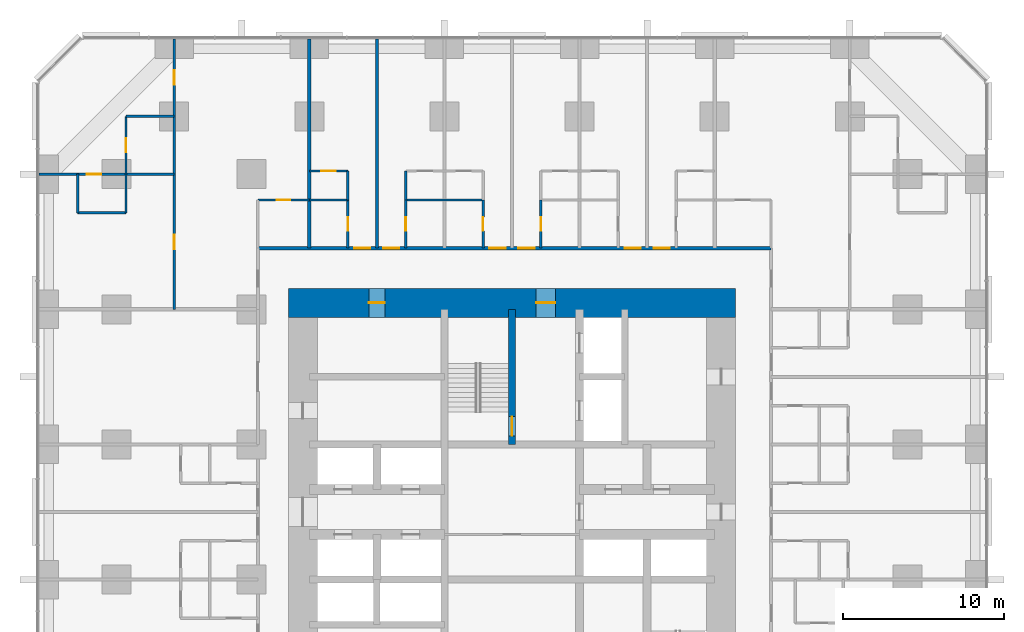
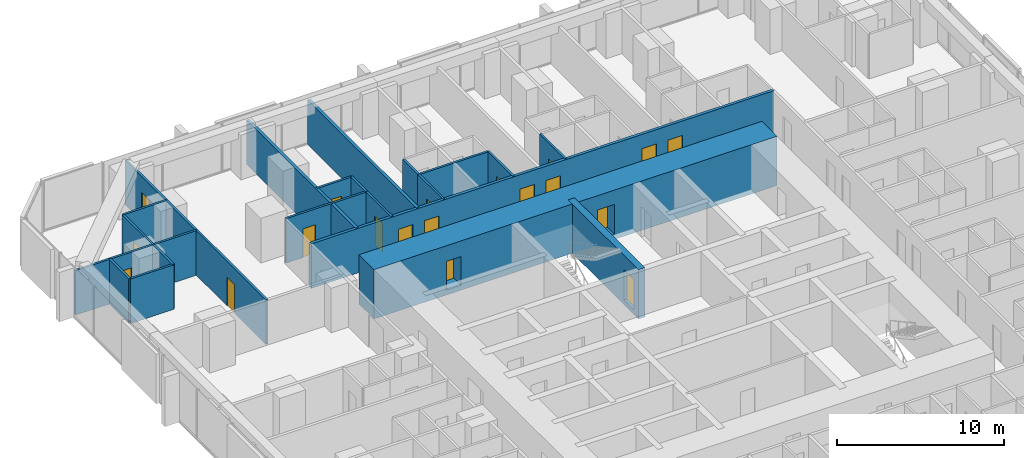
# One storey, part 15 of 18: 22 walls, 19 doors, 19 openings.
"""IFC4 building model written with IfcOpenShell, lengths in metres."""

from ifc_helpers import new_model, si_unit, direction, frame, frame_2d, origin, place, context, subcontext, project, spatial, rectangle, extrude, material, layer, layer_set, type_object, element, fill, save


model = new_model("IFC4")

# Units and contexts
model_context = context("Model", 3, precision=1e-05, world=origin(), true_north=direction((0.0, 1.0)))
body_context = subcontext(model_context, "Body", "Model", "MODEL_VIEW")
ifc_project = project(units=[si_unit("LENGTHUNIT", "METRE"), si_unit("AREAUNIT", "SQUARE_METRE"), si_unit("VOLUMEUNIT", "CUBIC_METRE"), si_unit("PLANEANGLEUNIT", "RADIAN"), si_unit("MASSUNIT", "GRAM", prefix="KILO")], contexts=[model_context])

# Site, building, storey
site_placement = place(None, origin())
site = spatial("IfcSite", under=ifc_project, at=site_placement, CompositionType="ELEMENT")
building_placement = place(site_placement, origin())
building = spatial("IfcBuilding", under=site, at=building_placement, Name="Dunama Terrace Hotel", CompositionType="ELEMENT")
storey_placement = place(building_placement, frame((0.0, 0.0, 30.60009765625)))
storey = spatial("IfcBuildingStorey", under=building, at=storey_placement, Name="L06", CompositionType="ELEMENT", Elevation=30.60009765625)

# Wall, opening, door
ifc_material_1 = material(Name="Gypsum board partition", Category="masonry")
ifc_layer_1 = layer(ifc_material_1, 0.14990234375)
ifc_layer_set_1 = layer_set([ifc_layer_1], Name="Bathroom partition 150")
wall_type_1 = type_object("IfcWallType", Name="Bathroom partition 150", PredefinedType="PARTITIONING", material=ifc_layer_set_1)
wall_1_placement = place(storey_placement, frame((5.39990234375, 50.39990234375, 0.0), z_axis=(0.0, 0.0, 1.0), x_axis=(0.0, 1.0, 0.0)))
wall_1 = element("IfcWall", 1, at=wall_1_placement, inside=storey, type_object=wall_type_1, Name="Bathroom partition 150 L06", PredefinedType="PARTITIONING", context=body_context, shape_type="SweptSolid", body=[
    extrude(rectangle(XDim=3.60009765625, YDim=0.14990234375, at=frame_2d((1.800048828125, 0.0))), origin(), (0.0, 0.0, 1.0), 3.25),
])
opening_1_placement = place(wall_1_placement, frame((1.375, 0.0, 0.0)))
opening_1 = element("IfcOpeningElement", 2, at=opening_1_placement, cuts=wall_1, Name="Opening L06-095", PredefinedType="OPENING", context=body_context, shape_type="SweptSolid", body=[
    extrude(rectangle(XDim=0.85009765625, YDim=2.10009765625, at=frame_2d((0.425048828125, 1.050048828125))), frame((0.0, 0.0849609375, 0.0), z_axis=(0.0, -1.0, 0.0), x_axis=(1.0, 0.0, 0.0)), (0.0, 0.0, 1.0), 0.169921875),
])
ifc_material_2 = material(Name="Timber door with steel frame", Category="steel")
door_type_1 = type_object("IfcDoorType", Name="Bathroom door 850", OperationType="SINGLE_SWING_LEFT", PredefinedType="DOOR", material=ifc_material_2)
door_1_placement = place(opening_1_placement, frame((0.85009765625, 0.0, 0.0), z_axis=(0.0, 0.0, 1.0), x_axis=(-1.0, 0.0, 0.0)))
door_1 = element("IfcDoor", 3, at=door_1_placement, inside=storey, type_object=door_type_1, Name="Door to en-suite bathroom L06-095, type D2", OperationType="SINGLE_SWING_RIGHT", OverallHeight=2.10009765625, OverallWidth=0.85009765625, PredefinedType="DOOR", context=body_context, shape_type="SweptSolid", body=[
    extrude(rectangle(XDim=0.85009765625, YDim=2.10009765625, at=frame_2d((0.425048828125, 1.050048828125))), frame((0.0, 0.025146484375, 0.0), z_axis=(0.0, -1.0, 0.0), x_axis=(1.0, 0.0, 0.0)), (0.0, 0.0, 1.0), 0.050048828125),
])
fill(opening_1, door_1)

wall_2_placement = place(storey_placement, frame((19.199951171875, 45.800048828125, 0.0), z_axis=(0.0, 0.0, 1.0), x_axis=(0.0, 1.0, 0.0)))
wall_2 = element("IfcWall", 4, at=wall_2_placement, inside=storey, type_object=wall_type_1, Name="Bathroom partition 150 L06", PredefinedType="PARTITIONING", context=body_context, shape_type="SweptSolid", body=[
    extrude(rectangle(XDim=3.0, YDim=0.14990234375, at=frame_2d((1.5, 0.0))), origin(), (0.0, 0.0, 1.0), 3.25),
])
opening_2_placement = place(wall_2_placement, frame((1.074951171875, 0.0, 0.0)))
opening_2 = element("IfcOpeningElement", 5, at=opening_2_placement, cuts=wall_2, Name="Opening L06-044", PredefinedType="OPENING", context=body_context, shape_type="SweptSolid", body=[
    extrude(rectangle(XDim=0.85009765625, YDim=2.10009765625, at=frame_2d((0.425048828125, 1.050048828125))), frame((0.0, 0.0849609375, 0.0), z_axis=(0.0, -1.0, 0.0), x_axis=(1.0, 0.0, 0.0)), (0.0, 0.0, 1.0), 0.169921875),
])
door_2_placement = place(opening_2_placement, origin())
door_2 = element("IfcDoor", 6, at=door_2_placement, inside=storey, type_object=door_type_1, Name="Door to en-suite bathroom L06-044, type D2", OperationType="SINGLE_SWING_LEFT", OverallHeight=2.10009765625, OverallWidth=0.85009765625, PredefinedType="DOOR", context=body_context, shape_type="SweptSolid", body=[
    extrude(rectangle(XDim=0.85009765625, YDim=2.10009765625, at=frame_2d((0.425048828125, 1.050048828125))), frame((0.0, 0.02490234375, 0.0), z_axis=(0.0, -1.0, 0.0), x_axis=(1.0, 0.0, 0.0)), (0.0, 0.0, 1.0), 0.050048828125),
])
fill(opening_2, door_2)

wall_3_placement = place(storey_placement, frame((22.800048828125, 45.800048828125, 0.0), z_axis=(0.0, 0.0, 1.0), x_axis=(0.0, 1.0, 0.0)))
wall_3 = element("IfcWall", 7, at=wall_3_placement, inside=storey, type_object=wall_type_1, Name="Bathroom partition 150 L06", PredefinedType="PARTITIONING", context=body_context, shape_type="SweptSolid", body=[
    extrude(rectangle(XDim=3.0, YDim=0.14990234375, at=frame_2d((1.5, 0.0))), origin(), (0.0, 0.0, 1.0), 3.25),
])
opening_3_placement = place(wall_3_placement, frame((1.074951171875, 0.0, 0.0)))
opening_3 = element("IfcOpeningElement", 8, at=opening_3_placement, cuts=wall_3, Name="Opening L06-047", PredefinedType="OPENING", context=body_context, shape_type="SweptSolid", body=[
    extrude(rectangle(XDim=0.85009765625, YDim=2.10009765625, at=frame_2d((0.425048828125, 1.050048828125))), frame((0.0, 0.0849609375, 0.0), z_axis=(0.0, -1.0, 0.0), x_axis=(1.0, 0.0, 0.0)), (0.0, 0.0, 1.0), 0.169921875),
])
door_3_placement = place(opening_3_placement, frame((0.85009765625, 0.0, 0.0), z_axis=(0.0, 0.0, 1.0), x_axis=(-1.0, 0.0, 0.0)))
door_3 = element("IfcDoor", 9, at=door_3_placement, inside=storey, type_object=door_type_1, Name="Door to en-suite bathroom L06-047, type D2", OperationType="SINGLE_SWING_RIGHT", OverallHeight=2.10009765625, OverallWidth=0.85009765625, PredefinedType="DOOR", context=body_context, shape_type="SweptSolid", body=[
    extrude(rectangle(XDim=0.85009765625, YDim=2.10009765625, at=frame_2d((0.425048828125, 1.050048828125))), frame((0.0, 0.025146484375, 0.0), z_axis=(0.0, -1.0, 0.0), x_axis=(1.0, 0.0, 0.0)), (0.0, 0.0, 1.0), 0.050048828125),
])
fill(opening_3, door_3)

wall_4_placement = place(storey_placement, frame((27.60009765625, 45.800048828125, 0.0), z_axis=(0.0, 0.0, 1.0), x_axis=(0.0, 1.0, 0.0)))
wall_4 = element("IfcWall", 10, at=wall_4_placement, inside=storey, type_object=wall_type_1, Name="Bathroom partition 150 L06", PredefinedType="PARTITIONING", context=body_context, shape_type="SweptSolid", body=[
    extrude(rectangle(XDim=3.0, YDim=0.14990234375, at=frame_2d((1.5, 0.0))), origin(), (0.0, 0.0, 1.0), 3.25),
])
opening_4_placement = place(wall_4_placement, frame((1.074951171875, 0.0, 0.0)))
opening_4 = element("IfcOpeningElement", 11, at=opening_4_placement, cuts=wall_4, Name="Opening L06-050", PredefinedType="OPENING", context=body_context, shape_type="SweptSolid", body=[
    extrude(rectangle(XDim=0.85009765625, YDim=2.10009765625, at=frame_2d((0.425048828125, 1.050048828125))), frame((0.0, 0.0849609375, 0.0), z_axis=(0.0, -1.0, 0.0), x_axis=(1.0, 0.0, 0.0)), (0.0, 0.0, 1.0), 0.169921875),
])
door_4_placement = place(opening_4_placement, origin())
door_4 = element("IfcDoor", 12, at=door_4_placement, inside=storey, type_object=door_type_1, Name="Door to en-suite bathroom L06-050, type D2", OperationType="SINGLE_SWING_LEFT", OverallHeight=2.10009765625, OverallWidth=0.85009765625, PredefinedType="DOOR", context=body_context, shape_type="SweptSolid", body=[
    extrude(rectangle(XDim=0.85009765625, YDim=2.10009765625, at=frame_2d((0.425048828125, 1.050048828125))), frame((0.0, 0.02490234375, 0.0), z_axis=(0.0, -1.0, 0.0), x_axis=(1.0, 0.0, 0.0)), (0.0, 0.0, 1.0), 0.050048828125),
])
fill(opening_4, door_4)

wall_5_placement = place(storey_placement, frame((31.199951171875, 45.800048828125, 0.0), z_axis=(0.0, 0.0, 1.0), x_axis=(0.0, 1.0, 0.0)))
wall_5 = element("IfcWall", 13, at=wall_5_placement, inside=storey, type_object=wall_type_1, Name="Bathroom partition 150 L06", PredefinedType="PARTITIONING", context=body_context, shape_type="SweptSolid", body=[
    extrude(rectangle(XDim=3.0, YDim=0.14990234375, at=frame_2d((1.5, 0.0))), origin(), (0.0, 0.0, 1.0), 3.25),
])
opening_5_placement = place(wall_5_placement, frame((1.074951171875, 0.0, 0.0)))
opening_5 = element("IfcOpeningElement", 14, at=opening_5_placement, cuts=wall_5, Name="Opening L06-053", PredefinedType="OPENING", context=body_context, shape_type="SweptSolid", body=[
    extrude(rectangle(XDim=0.85009765625, YDim=2.10009765625, at=frame_2d((0.425048828125, 1.050048828125))), frame((0.0, 0.0849609375, 0.0), z_axis=(0.0, -1.0, 0.0), x_axis=(1.0, 0.0, 0.0)), (0.0, 0.0, 1.0), 0.169921875),
])
door_5_placement = place(opening_5_placement, frame((0.85009765625, 0.0, 0.0), z_axis=(0.0, 0.0, 1.0), x_axis=(-1.0, 0.0, 0.0)))
door_5 = element("IfcDoor", 15, at=door_5_placement, inside=storey, type_object=door_type_1, Name="Door to en-suite bathroom L06-053, type D2", OperationType="SINGLE_SWING_RIGHT", OverallHeight=2.10009765625, OverallWidth=0.85009765625, PredefinedType="DOOR", context=body_context, shape_type="SweptSolid", body=[
    extrude(rectangle(XDim=0.85009765625, YDim=2.10009765625, at=frame_2d((0.425048828125, 1.050048828125))), frame((0.0, 0.025146484375, 0.0), z_axis=(0.0, -1.0, 0.0), x_axis=(1.0, 0.0, 0.0)), (0.0, 0.0, 1.0), 0.050048828125),
])
fill(opening_5, door_5)

wall_6_placement = place(storey_placement, frame((13.60009765625, 48.800048828125, 0.0), z_axis=(0.0, 0.0, 1.0), x_axis=(1.0, 0.0, 0.0)))
wall_6 = element("IfcWall", 16, at=wall_6_placement, inside=storey, type_object=wall_type_1, Name="Bathroom partition 150 L06", PredefinedType="PARTITIONING", context=body_context, shape_type="SweptSolid", body=[
    extrude(rectangle(XDim=3.199951171875, YDim=0.14990234375, at=frame_2d((1.60009765625, 0.0))), origin(), (0.0, 0.0, 1.0), 3.25),
])
opening_6_placement = place(wall_6_placement, frame((1.175048828125, 0.0, 0.0)))
opening_6 = element("IfcOpeningElement", 17, at=opening_6_placement, cuts=wall_6, Name="Opening L06-093", PredefinedType="OPENING", context=body_context, shape_type="SweptSolid", body=[
    extrude(rectangle(XDim=0.85009765625, YDim=2.10009765625, at=frame_2d((0.425048828125, 1.050048828125))), frame((0.0, 0.0849609375, 0.0), z_axis=(0.0, -1.0, 0.0), x_axis=(1.0, 0.0, 0.0)), (0.0, 0.0, 1.0), 0.169921875),
])
door_6_placement = place(opening_6_placement, frame((0.85009765625, 0.0, 0.0), z_axis=(0.0, 0.0, 1.0), x_axis=(-1.0, 0.0, 0.0)))
door_6 = element("IfcDoor", 18, at=door_6_placement, inside=storey, type_object=door_type_1, Name="Door to powder room L06-093, type D2", OperationType="SINGLE_SWING_RIGHT", OverallHeight=2.10009765625, OverallWidth=0.85009765625, PredefinedType="DOOR", context=body_context, shape_type="SweptSolid", body=[
    extrude(rectangle(XDim=0.85009765625, YDim=2.10009765625, at=frame_2d((0.425048828125, 1.050048828125))), frame((0.0, 0.025146484375, 0.0), z_axis=(0.0, -1.0, 0.0), x_axis=(1.0, 0.0, 0.0)), (0.0, 0.0, 1.0), 0.050048828125),
])
fill(opening_6, door_6)

# Wall
wall_7_placement = place(storey_placement, frame((5.39990234375, 54.0, 0.0), z_axis=(0.0, 0.0, 1.0), x_axis=(1.0, 0.0, 0.0)))
element("IfcWall", 19, at=wall_7_placement, inside=storey, type_object=wall_type_1, Name="Bathroom partition 150 L06", PredefinedType="PARTITIONING", context=body_context, shape_type="SweptSolid", body=[
    extrude(rectangle(XDim=3.0, YDim=0.14990234375, at=frame_2d((1.5, 0.0))), origin(), (0.0, 0.0, 1.0), 3.25),
])

# Wall, opening, door
ifc_material_3 = material(Name="Concrete C50/60", Category="concrete")
ifc_layer_2 = layer(ifc_material_3, 0.449951171875)
ifc_layer_set_2 = layer_set([ifc_layer_2], Name="Core inner wall 450")
wall_type_2 = type_object("IfcWallType", Name="Core inner wall 450", PredefinedType="SHEAR", material=ifc_layer_set_2)
wall_8_placement = place(storey_placement, frame((29.39990234375, 33.60009765625, -0.35009765625), z_axis=(0.0, 0.0, 1.0), x_axis=(0.0, 1.0, 0.0)))
wall_8 = element("IfcWall", 20, at=wall_8_placement, inside=storey, type_object=wall_type_2, Name="Core inner wall 450 L06", PredefinedType="SHEAR", context=body_context, shape_type="SweptSolid", body=[
    extrude(rectangle(XDim=8.39990234375, YDim=0.449951171875, at=frame_2d((4.199951171875, 0.0))), origin(), (0.0, 0.0, 1.0), 3.60009765625),
])
opening_7_placement = place(wall_8_placement, frame((0.52490234375, 0.0, 0.35009765625)))
opening_7 = element("IfcOpeningElement", 21, at=opening_7_placement, cuts=wall_8, Name="Opening L06-001", PredefinedType="OPENING", context=body_context, shape_type="SweptSolid", body=[
    extrude(rectangle(XDim=1.199951171875, YDim=2.199951171875, at=frame_2d((0.60009765625, 1.10009765625))), frame((0.0, 0.23486328125, 0.0), z_axis=(0.0, -1.0, 0.0), x_axis=(1.0, 0.0, 0.0)), (0.0, 0.0, 1.0), 0.469970703125),
])
ifc_material_4 = material(Name="Timber door with steel frame", Category="steel")
door_type_2 = type_object("IfcDoorType", Name="Stair door 1200", OperationType="SINGLE_SWING_LEFT", PredefinedType="DOOR", material=ifc_material_4)
door_7_placement = place(opening_7_placement, origin())
door_7 = element("IfcDoor", 22, at=door_7_placement, inside=storey, type_object=door_type_2, Name="Stair door ST1 L06-001, type D5", OperationType="SINGLE_SWING_LEFT", OverallHeight=2.199951171875, OverallWidth=1.199951171875, PredefinedType="DOOR", context=body_context, shape_type="SweptSolid", body=[
    extrude(rectangle(XDim=1.199951171875, YDim=2.199951171875, at=frame_2d((0.60009765625, 1.10009765625))), frame((0.0, 0.02490234375, 0.0), z_axis=(0.0, -1.0, 0.0), x_axis=(1.0, 0.0, 0.0)), (0.0, 0.0, 1.0), 0.050048828125),
])
fill(opening_7, door_7)

# Wall, openings, doors
ifc_material_5 = material(Name="Concrete C60/75", Category="concrete")
ifc_layer_3 = layer(ifc_material_5, 1.800048828125)
ifc_layer_set_3 = layer_set([ifc_layer_3], Name="Core wall 1800")
wall_type_3 = type_object("IfcWallType", Name="Core wall 1800", PredefinedType="SHEAR", material=ifc_layer_set_3)
wall_9_placement = place(storey_placement, frame((43.300048828125, 42.39990234375, -0.35009765625), z_axis=(0.0, 0.0, 1.0), x_axis=(-1.0, 0.0, 0.0)))
wall_9 = element("IfcWall", 23, at=wall_9_placement, inside=storey, type_object=wall_type_3, Name="Core wall north L06", PredefinedType="SHEAR", context=body_context, shape_type="SweptSolid", body=[
    extrude(rectangle(XDim=27.800048828125, YDim=1.800048828125, at=frame_2d((13.89990234375, 0.0))), origin(), (0.0, 0.0, 1.0), 3.60009765625),
])
opening_8_placement = place(wall_9_placement, frame((21.800048828125, 0.0, 0.35009765625)))
opening_8 = element("IfcOpeningElement", 24, at=opening_8_placement, cuts=wall_9, Name="Opening L06-101", PredefinedType="OPENING", context=body_context, shape_type="SweptSolid", body=[
    extrude(rectangle(XDim=1.0, YDim=2.10009765625, at=frame_2d((0.5, 1.050048828125))), frame((0.0, 0.909912109375, 0.0), z_axis=(0.0, -1.0, 0.0), x_axis=(1.0, 0.0, 0.0)), (0.0, 0.0, 1.0), 1.820068359375),
])
opening_9_placement = place(wall_9_placement, frame((11.199951171875, 0.0, 0.35009765625)))
opening_9 = element("IfcOpeningElement", 25, at=opening_9_placement, cuts=wall_9, Name="Opening L06-107", PredefinedType="OPENING", context=body_context, shape_type="SweptSolid", body=[
    extrude(rectangle(XDim=1.199951171875, YDim=2.199951171875, at=frame_2d((0.60009765625, 1.10009765625))), frame((0.0, 0.909912109375, 0.0), z_axis=(0.0, -1.0, 0.0), x_axis=(1.0, 0.0, 0.0)), (0.0, 0.0, 1.0), 1.820068359375),
])
ifc_material_6 = material(Name="Timber door with steel frame", Category="steel")
door_type_3 = type_object("IfcDoorType", Name="Firefighting lobby door 1200", OperationType="SINGLE_SWING_LEFT", PredefinedType="DOOR", material=ifc_material_6)
door_8_placement = place(opening_9_placement, origin())
door_8 = element("IfcDoor", 26, at=door_8_placement, inside=storey, type_object=door_type_3, Name="Door to firefighting lobby L06-107, type D4", OperationType="SINGLE_SWING_LEFT", OverallHeight=2.199951171875, OverallWidth=1.199951171875, PredefinedType="DOOR", context=body_context, shape_type="SweptSolid", body=[
    extrude(rectangle(XDim=1.199951171875, YDim=2.199951171875, at=frame_2d((0.60009765625, 1.10009765625))), frame((0.0, 0.02490234375, 0.0), z_axis=(0.0, -1.0, 0.0), x_axis=(1.0, 0.0, 0.0)), (0.0, 0.0, 1.0), 0.050048828125),
])
fill(opening_9, door_8)
ifc_material_7 = material(Name="Timber door with steel frame", Category="steel")
door_type_4 = type_object("IfcDoorType", Name="Service door 1000", OperationType="SINGLE_SWING_LEFT", PredefinedType="DOOR", material=ifc_material_7)
door_9_placement = place(opening_8_placement, origin())
door_9 = element("IfcDoor", 27, at=door_9_placement, inside=storey, type_object=door_type_4, Name="Door to communications and riser room L06-101, type D7", OperationType="SINGLE_SWING_RIGHT", OverallHeight=2.10009765625, OverallWidth=1.0, PredefinedType="DOOR", context=body_context, shape_type="SweptSolid", body=[
    extrude(rectangle(XDim=1.0, YDim=2.10009765625, at=frame_2d((0.5, 1.050048828125))), frame((0.0, 0.02490234375, 0.0), z_axis=(0.0, -1.0, 0.0), x_axis=(1.0, 0.0, 0.0)), (0.0, 0.0, 1.0), 0.050048828125),
])
fill(opening_8, door_9)

ifc_material_8 = material(Name="Concrete blockwork", Category="masonry")
ifc_layer_4 = layer(ifc_material_8, 0.199951171875)
ifc_layer_set_4 = layer_set([ifc_layer_4], Name="Corridor partition 200")
wall_type_4 = type_object("IfcWallType", Name="Corridor partition 200", PredefinedType="PARTITIONING", material=ifc_layer_set_4)
wall_10_placement = place(storey_placement, frame((13.60009765625, 45.800048828125, 0.0), z_axis=(0.0, 0.0, 1.0), x_axis=(1.0, 0.0, 0.0)))
wall_10 = element("IfcWall", 28, at=wall_10_placement, inside=storey, type_object=wall_type_4, Name="Corridor partition 200 L06", PredefinedType="PARTITIONING", context=body_context, shape_type="SweptSolid", body=[
    extrude(rectangle(XDim=31.89990234375, YDim=0.199951171875, at=frame_2d((15.949951171875, 0.0))), origin(), (0.0, 0.0, 1.0), 3.25),
])
opening_10_placement = place(wall_10_placement, frame((6.0, 0.0, 0.0)))
opening_10 = element("IfcOpeningElement", 29, at=opening_10_placement, cuts=wall_10, Name="Opening L06-043", PredefinedType="OPENING", context=body_context, shape_type="SweptSolid", body=[
    extrude(rectangle(XDim=1.0, YDim=2.199951171875, at=frame_2d((0.5, 1.10009765625))), frame((0.0, 0.10986328125, 0.0), z_axis=(0.0, -1.0, 0.0), x_axis=(1.0, 0.0, 0.0)), (0.0, 0.0, 1.0), 0.219970703125),
])
opening_11_placement = place(wall_10_placement, frame((7.800048828125, 0.0, 0.0)))
opening_11 = element("IfcOpeningElement", 30, at=opening_11_placement, cuts=wall_10, Name="Opening L06-046", PredefinedType="OPENING", context=body_context, shape_type="SweptSolid", body=[
    extrude(rectangle(XDim=1.0, YDim=2.199951171875, at=frame_2d((0.5, 1.10009765625))), frame((0.0, 0.10986328125, 0.0), z_axis=(0.0, -1.0, 0.0), x_axis=(1.0, 0.0, 0.0)), (0.0, 0.0, 1.0), 0.219970703125),
])
opening_12_placement = place(wall_10_placement, frame((14.39990234375, 0.0, 0.0)))
opening_12 = element("IfcOpeningElement", 31, at=opening_12_placement, cuts=wall_10, Name="Opening L06-049", PredefinedType="OPENING", context=body_context, shape_type="SweptSolid", body=[
    extrude(rectangle(XDim=1.0, YDim=2.199951171875, at=frame_2d((0.5, 1.10009765625))), frame((0.0, 0.10986328125, 0.0), z_axis=(0.0, -1.0, 0.0), x_axis=(1.0, 0.0, 0.0)), (0.0, 0.0, 1.0), 0.219970703125),
])
opening_13_placement = place(wall_10_placement, frame((16.199951171875, 0.0, 0.0)))
opening_13 = element("IfcOpeningElement", 32, at=opening_13_placement, cuts=wall_10, Name="Opening L06-052", PredefinedType="OPENING", context=body_context, shape_type="SweptSolid", body=[
    extrude(rectangle(XDim=1.0, YDim=2.199951171875, at=frame_2d((0.5, 1.10009765625))), frame((0.0, 0.10986328125, 0.0), z_axis=(0.0, -1.0, 0.0), x_axis=(1.0, 0.0, 0.0)), (0.0, 0.0, 1.0), 0.219970703125),
])
opening_14_placement = place(wall_10_placement, frame((22.800048828125, 0.0, 0.0)))
opening_14 = element("IfcOpeningElement", 33, at=opening_14_placement, cuts=wall_10, Name="Opening L06-055", PredefinedType="OPENING", context=body_context, shape_type="SweptSolid", body=[
    extrude(rectangle(XDim=1.0, YDim=2.199951171875, at=frame_2d((0.5, 1.10009765625))), frame((0.0, 0.10986328125, 0.0), z_axis=(0.0, -1.0, 0.0), x_axis=(1.0, 0.0, 0.0)), (0.0, 0.0, 1.0), 0.219970703125),
])
opening_15_placement = place(wall_10_placement, frame((24.60009765625, 0.0, 0.0)))
opening_15 = element("IfcOpeningElement", 34, at=opening_15_placement, cuts=wall_10, Name="Opening L06-058", PredefinedType="OPENING", context=body_context, shape_type="SweptSolid", body=[
    extrude(rectangle(XDim=1.0, YDim=2.199951171875, at=frame_2d((0.5, 1.10009765625))), frame((0.0, 0.10986328125, 0.0), z_axis=(0.0, -1.0, 0.0), x_axis=(1.0, 0.0, 0.0)), (0.0, 0.0, 1.0), 0.219970703125),
])
ifc_material_9 = material(Name="Timber door with steel frame", Category="steel")
door_type_5 = type_object("IfcDoorType", Name="Guest room door 1000", OperationType="SINGLE_SWING_LEFT", PredefinedType="DOOR", material=ifc_material_9)
door_10_placement = place(opening_10_placement, origin())
door_10 = element("IfcDoor", 35, at=door_10_placement, inside=storey, type_object=door_type_5, Name="Door to deluxe room L06-043, type D1", OperationType="SINGLE_SWING_RIGHT", OverallHeight=2.199951171875, OverallWidth=1.0, PredefinedType="DOOR", context=body_context, shape_type="SweptSolid", body=[
    extrude(rectangle(XDim=1.0, YDim=2.199951171875, at=frame_2d((0.5, 1.10009765625))), frame((0.0, 0.02490234375, 0.0), z_axis=(0.0, -1.0, 0.0), x_axis=(1.0, 0.0, 0.0)), (0.0, 0.0, 1.0), 0.050048828125),
])
fill(opening_10, door_10)
door_11_placement = place(opening_11_placement, origin())
door_11 = element("IfcDoor", 36, at=door_11_placement, inside=storey, type_object=door_type_5, Name="Door to deluxe room L06-046, type D1", OperationType="SINGLE_SWING_LEFT", OverallHeight=2.199951171875, OverallWidth=1.0, PredefinedType="DOOR", context=body_context, shape_type="SweptSolid", body=[
    extrude(rectangle(XDim=1.0, YDim=2.199951171875, at=frame_2d((0.5, 1.10009765625))), frame((0.0, 0.02490234375, 0.0), z_axis=(0.0, -1.0, 0.0), x_axis=(1.0, 0.0, 0.0)), (0.0, 0.0, 1.0), 0.050048828125),
])
fill(opening_11, door_11)
door_12_placement = place(opening_12_placement, origin())
door_12 = element("IfcDoor", 37, at=door_12_placement, inside=storey, type_object=door_type_5, Name="Door to deluxe room L06-049, type D1", OperationType="SINGLE_SWING_RIGHT", OverallHeight=2.199951171875, OverallWidth=1.0, PredefinedType="DOOR", context=body_context, shape_type="SweptSolid", body=[
    extrude(rectangle(XDim=1.0, YDim=2.199951171875, at=frame_2d((0.5, 1.10009765625))), frame((0.0, 0.02490234375, 0.0), z_axis=(0.0, -1.0, 0.0), x_axis=(1.0, 0.0, 0.0)), (0.0, 0.0, 1.0), 0.050048828125),
])
fill(opening_12, door_12)
door_13_placement = place(opening_13_placement, origin())
door_13 = element("IfcDoor", 38, at=door_13_placement, inside=storey, type_object=door_type_5, Name="Door to deluxe room L06-052, type D1", OperationType="SINGLE_SWING_LEFT", OverallHeight=2.199951171875, OverallWidth=1.0, PredefinedType="DOOR", context=body_context, shape_type="SweptSolid", body=[
    extrude(rectangle(XDim=1.0, YDim=2.199951171875, at=frame_2d((0.5, 1.10009765625))), frame((0.0, 0.02490234375, 0.0), z_axis=(0.0, -1.0, 0.0), x_axis=(1.0, 0.0, 0.0)), (0.0, 0.0, 1.0), 0.050048828125),
])
fill(opening_13, door_13)
door_14_placement = place(opening_14_placement, origin())
door_14 = element("IfcDoor", 39, at=door_14_placement, inside=storey, type_object=door_type_5, Name="Door to deluxe room L06-055, type D1", OperationType="SINGLE_SWING_RIGHT", OverallHeight=2.199951171875, OverallWidth=1.0, PredefinedType="DOOR", context=body_context, shape_type="SweptSolid", body=[
    extrude(rectangle(XDim=1.0, YDim=2.199951171875, at=frame_2d((0.5, 1.10009765625))), frame((0.0, 0.02490234375, 0.0), z_axis=(0.0, -1.0, 0.0), x_axis=(1.0, 0.0, 0.0)), (0.0, 0.0, 1.0), 0.050048828125),
])
fill(opening_14, door_14)
door_15_placement = place(opening_15_placement, origin())
door_15 = element("IfcDoor", 40, at=door_15_placement, inside=storey, type_object=door_type_5, Name="Door to deluxe room L06-058, type D1", OperationType="SINGLE_SWING_LEFT", OverallHeight=2.199951171875, OverallWidth=1.0, PredefinedType="DOOR", context=body_context, shape_type="SweptSolid", body=[
    extrude(rectangle(XDim=1.0, YDim=2.199951171875, at=frame_2d((0.5, 1.10009765625))), frame((0.0, 0.02490234375, 0.0), z_axis=(0.0, -1.0, 0.0), x_axis=(1.0, 0.0, 0.0)), (0.0, 0.0, 1.0), 0.050048828125),
])
fill(opening_15, door_15)

# Walls
ifc_material_10 = material(Name="Concrete blockwork", Category="masonry")
ifc_layer_5 = layer(ifc_material_10, 0.199951171875)
ifc_layer_set_5 = layer_set([ifc_layer_5], Name="Party wall 200")
wall_type_5 = type_object("IfcWallType", Name="Party wall 200", PredefinedType="PARTITIONING", material=ifc_layer_set_5)
for number, where, z_axis, x_axis, name in (
    (41, (16.800048828125, 45.800048828125, 0.0), (0.0, 0.0, 1.0), (0.0, 1.0, 0.0), "Party wall 200 L06"),
    (42, (21.0, 45.800048828125, 0.0), (0.0, 0.0, 1.0), (0.0, 1.0, 0.0), "Party wall 200 L06"),
):
    element("IfcWall", number, at=place(storey_placement, frame(where, z_axis=z_axis, x_axis=x_axis)), inside=storey, type_object=wall_type_5, Name=name, PredefinedType="PARTITIONING", context=body_context, shape_type="SweptSolid", body=[
        extrude(rectangle(XDim=13.008056640625, YDim=0.199951171875, at=frame_2d((6.50390625, 0.0))), origin(), (0.0, 0.0, 1.0), 3.25),
    ])
ifc_material_11 = material(Name="Gypsum board partition", Category="masonry")
ifc_layer_6 = layer(ifc_material_11, 0.14990234375)
ifc_layer_set_6 = layer_set([ifc_layer_6], Name="Room partition 150")
wall_type_6 = type_object("IfcWallType", Name="Room partition 150", PredefinedType="PARTITIONING", material=ifc_layer_set_6)
for number, where, z_axis, x_axis, name in (
    (43, (2.39990234375, 48.0, 0.0), (0.0, 0.0, 1.0), (0.0, 1.0, 0.0), "Room partition 150 L06"),
    (44, (5.39990234375, 48.0, 0.0), (0.0, 0.0, 1.0), (0.0, 1.0, 0.0), "Room partition 150 L06"),
):
    element("IfcWall", number, at=place(storey_placement, frame(where, z_axis=z_axis, x_axis=x_axis)), inside=storey, type_object=wall_type_6, Name=name, PredefinedType="PARTITIONING", context=body_context, shape_type="SweptSolid", body=[
        extrude(rectangle(XDim=2.39990234375, YDim=0.14990234375, at=frame_2d((1.199951171875, 0.0))), origin(), (0.0, 0.0, 1.0), 3.25),
    ])

# Wall, openings, doors
wall_11_placement = place(storey_placement, frame((8.39990234375, 42.0, 0.0), z_axis=(0.0, 0.0, 1.0), x_axis=(0.0, 1.0, 0.0)))
wall_11 = element("IfcWall", 45, at=wall_11_placement, inside=storey, type_object=wall_type_6, Name="Room partition 150 L06", PredefinedType="PARTITIONING", context=body_context, shape_type="SweptSolid", body=[
    extrude(rectangle(XDim=16.80810546875, YDim=0.14990234375, at=frame_2d((8.404052734375, 0.0))), origin(), (0.0, 0.0, 1.0), 3.25),
])
opening_16_placement = place(wall_11_placement, frame((13.949951171875, 0.0, 0.0)))
opening_16 = element("IfcOpeningElement", 46, at=opening_16_placement, cuts=wall_11, Name="Opening L06-094", PredefinedType="OPENING", context=body_context, shape_type="SweptSolid", body=[
    extrude(rectangle(XDim=0.89990234375, YDim=2.10009765625, at=frame_2d((0.449951171875, 1.050048828125))), frame((0.0, 0.0849609375, 0.0), z_axis=(0.0, -1.0, 0.0), x_axis=(1.0, 0.0, 0.0)), (0.0, 0.0, 1.0), 0.169921875),
])
opening_17_placement = place(wall_11_placement, frame((3.75, 0.0, 0.0)))
opening_17 = element("IfcOpeningElement", 47, at=opening_17_placement, cuts=wall_11, Name="Opening L06-097", PredefinedType="OPENING", context=body_context, shape_type="SweptSolid", body=[
    extrude(rectangle(XDim=0.89990234375, YDim=2.10009765625, at=frame_2d((0.449951171875, 1.050048828125))), frame((0.0, 0.0849609375, 0.0), z_axis=(0.0, -1.0, 0.0), x_axis=(1.0, 0.0, 0.0)), (0.0, 0.0, 1.0), 0.169921875),
])
ifc_material_12 = material(Name="Timber door with steel frame", Category="steel")
door_type_6 = type_object("IfcDoorType", Name="Suite internal door 900", OperationType="SINGLE_SWING_LEFT", PredefinedType="DOOR", material=ifc_material_12)
door_16_placement = place(opening_16_placement, origin())
door_16 = element("IfcDoor", 48, at=door_16_placement, inside=storey, type_object=door_type_6, Name="Door to corner suite bedroom L06-094, type D16", OperationType="SINGLE_SWING_RIGHT", OverallHeight=2.10009765625, OverallWidth=0.89990234375, PredefinedType="DOOR", context=body_context, shape_type="SweptSolid", body=[
    extrude(rectangle(XDim=0.89990234375, YDim=2.10009765625, at=frame_2d((0.449951171875, 1.050048828125))), frame((0.0, 0.02490234375, 0.0), z_axis=(0.0, -1.0, 0.0), x_axis=(1.0, 0.0, 0.0)), (0.0, 0.0, 1.0), 0.050048828125),
])
fill(opening_16, door_16)
door_17_placement = place(opening_17_placement, origin())
door_17 = element("IfcDoor", 49, at=door_17_placement, inside=storey, type_object=door_type_6, Name="Door to corner suite study L06-097, type D16", OperationType="SINGLE_SWING_RIGHT", OverallHeight=2.10009765625, OverallWidth=0.89990234375, PredefinedType="DOOR", context=body_context, shape_type="SweptSolid", body=[
    extrude(rectangle(XDim=0.89990234375, YDim=2.10009765625, at=frame_2d((0.449951171875, 1.050048828125))), frame((0.0, 0.02490234375, 0.0), z_axis=(0.0, -1.0, 0.0), x_axis=(1.0, 0.0, 0.0)), (0.0, 0.0, 1.0), 0.050048828125),
])
fill(opening_17, door_17)

# Walls
for number, where, z_axis, x_axis, name in (
    (50, (19.199951171875, 48.800048828125, 0.0), (0.0, 0.0, 1.0), (0.0, 1.0, 0.0), "Room partition 150 L06"),
    (51, (22.800048828125, 48.800048828125, 0.0), (0.0, 0.0, 1.0), (0.0, 1.0, 0.0), "Room partition 150 L06"),
):
    element("IfcWall", number, at=place(storey_placement, frame(where, z_axis=z_axis, x_axis=x_axis)), inside=storey, type_object=wall_type_6, Name=name, PredefinedType="PARTITIONING", context=body_context, shape_type="SweptSolid", body=[
        extrude(rectangle(XDim=1.800048828125, YDim=0.14990234375, at=frame_2d((0.89990234375, 0.0))), origin(), (0.0, 0.0, 1.0), 3.25),
    ])
wall_12_placement = place(storey_placement, frame((2.39990234375, 48.0, 0.0), z_axis=(0.0, 0.0, 1.0), x_axis=(1.0, 0.0, 0.0)))
element("IfcWall", 52, at=wall_12_placement, inside=storey, type_object=wall_type_6, Name="Room partition 150 L06", PredefinedType="PARTITIONING", context=body_context, shape_type="SweptSolid", body=[
    extrude(rectangle(XDim=3.0, YDim=0.14990234375, at=frame_2d((1.5, 0.0))), origin(), (0.0, 0.0, 1.0), 3.25),
])
wall_13_placement = place(storey_placement, frame((16.800048828125, 48.800048828125, 0.0), z_axis=(0.0, 0.0, 1.0), x_axis=(1.0, 0.0, 0.0)))
element("IfcWall", 53, at=wall_13_placement, inside=storey, type_object=wall_type_6, Name="Room partition 150 L06", PredefinedType="PARTITIONING", context=body_context, shape_type="SweptSolid", body=[
    extrude(rectangle(XDim=2.39990234375, YDim=0.14990234375, at=frame_2d((1.199951171875, 0.0))), origin(), (0.0, 0.0, 1.0), 3.25),
])
wall_14_placement = place(storey_placement, frame((22.800048828125, 48.800048828125, 0.0), z_axis=(0.0, 0.0, 1.0), x_axis=(1.0, 0.0, 0.0)))
element("IfcWall", 54, at=wall_14_placement, inside=storey, type_object=wall_type_6, Name="Room partition 150 L06", PredefinedType="PARTITIONING", context=body_context, shape_type="SweptSolid", body=[
    extrude(rectangle(XDim=4.800048828125, YDim=0.14990234375, at=frame_2d((2.39990234375, 0.0))), origin(), (0.0, 0.0, 1.0), 3.25),
])

# Wall, opening, door
wall_15_placement = place(storey_placement, frame((-0.008056640625, 50.39990234375, 0.0), z_axis=(0.0, 0.0, 1.0), x_axis=(1.0, 0.0, 0.0)))
wall_15 = element("IfcWall", 55, at=wall_15_placement, inside=storey, type_object=wall_type_6, Name="Room partition 150 L06", PredefinedType="PARTITIONING", context=body_context, shape_type="SweptSolid", body=[
    extrude(rectangle(XDim=8.407958984375, YDim=0.14990234375, at=frame_2d((4.2041015625, 0.0))), origin(), (0.0, 0.0, 1.0), 3.25),
])
opening_18_placement = place(wall_15_placement, frame((2.9580078125, 0.0, 0.0)))
opening_18 = element("IfcOpeningElement", 56, at=opening_18_placement, cuts=wall_15, Name="Opening L06-096", PredefinedType="OPENING", context=body_context, shape_type="SweptSolid", body=[
    extrude(rectangle(XDim=0.89990234375, YDim=2.10009765625, at=frame_2d((0.449951171875, 1.050048828125))), frame((0.0, 0.0849609375, 0.0), z_axis=(0.0, -1.0, 0.0), x_axis=(1.0, 0.0, 0.0)), (0.0, 0.0, 1.0), 0.169921875),
])
door_18_placement = place(opening_18_placement, frame((0.89990234375, 0.0, 0.0), z_axis=(0.0, 0.0, 1.0), x_axis=(-1.0, 0.0, 0.0)))
door_18 = element("IfcDoor", 57, at=door_18_placement, inside=storey, type_object=door_type_6, Name="Door to dressing room L06-096, type D16", OperationType="SINGLE_SWING_LEFT", OverallHeight=2.10009765625, OverallWidth=0.89990234375, PredefinedType="DOOR", context=body_context, shape_type="SweptSolid", body=[
    extrude(rectangle(XDim=0.89990234375, YDim=2.10009765625, at=frame_2d((0.449951171875, 1.050048828125))), frame((0.0, 0.025146484375, 0.0), z_axis=(0.0, -1.0, 0.0), x_axis=(1.0, 0.0, 0.0)), (0.0, 0.0, 1.0), 0.050048828125),
])
fill(opening_18, door_18)

wall_16_placement = place(storey_placement, frame((16.800048828125, 50.60009765625, 0.0), z_axis=(0.0, 0.0, 1.0), x_axis=(1.0, 0.0, 0.0)))
wall_16 = element("IfcWall", 58, at=wall_16_placement, inside=storey, type_object=wall_type_6, Name="Room partition 150 L06", PredefinedType="PARTITIONING", context=body_context, shape_type="SweptSolid", body=[
    extrude(rectangle(XDim=2.39990234375, YDim=0.14990234375, at=frame_2d((1.199951171875, 0.0))), origin(), (0.0, 0.0, 1.0), 3.25),
])
opening_19_placement = place(wall_16_placement, frame((0.75, 0.0, 0.0)))
opening_19 = element("IfcOpeningElement", 59, at=opening_19_placement, cuts=wall_16, Name="Opening L06-045", PredefinedType="OPENING", context=body_context, shape_type="SweptSolid", body=[
    extrude(rectangle(XDim=0.89990234375, YDim=2.10009765625, at=frame_2d((0.449951171875, 1.050048828125))), frame((0.0, 0.0849609375, 0.0), z_axis=(0.0, -1.0, 0.0), x_axis=(1.0, 0.0, 0.0)), (0.0, 0.0, 1.0), 0.169921875),
])
door_19_placement = place(opening_19_placement, frame((0.89990234375, 0.0, 0.0), z_axis=(0.0, 0.0, 1.0), x_axis=(-1.0, 0.0, 0.0)))
door_19 = element("IfcDoor", 60, at=door_19_placement, inside=storey, type_object=door_type_6, Name="Door to walk-in wardrobe L06-045, type D16", OperationType="SINGLE_SWING_RIGHT", OverallHeight=2.10009765625, OverallWidth=0.89990234375, PredefinedType="DOOR", context=body_context, shape_type="SweptSolid", body=[
    extrude(rectangle(XDim=0.89990234375, YDim=2.10009765625, at=frame_2d((0.449951171875, 1.050048828125))), frame((0.0, 0.025146484375, 0.0), z_axis=(0.0, -1.0, 0.0), x_axis=(1.0, 0.0, 0.0)), (0.0, 0.0, 1.0), 0.050048828125),
])
fill(opening_19, door_19)

save(model, "model.ifc")
